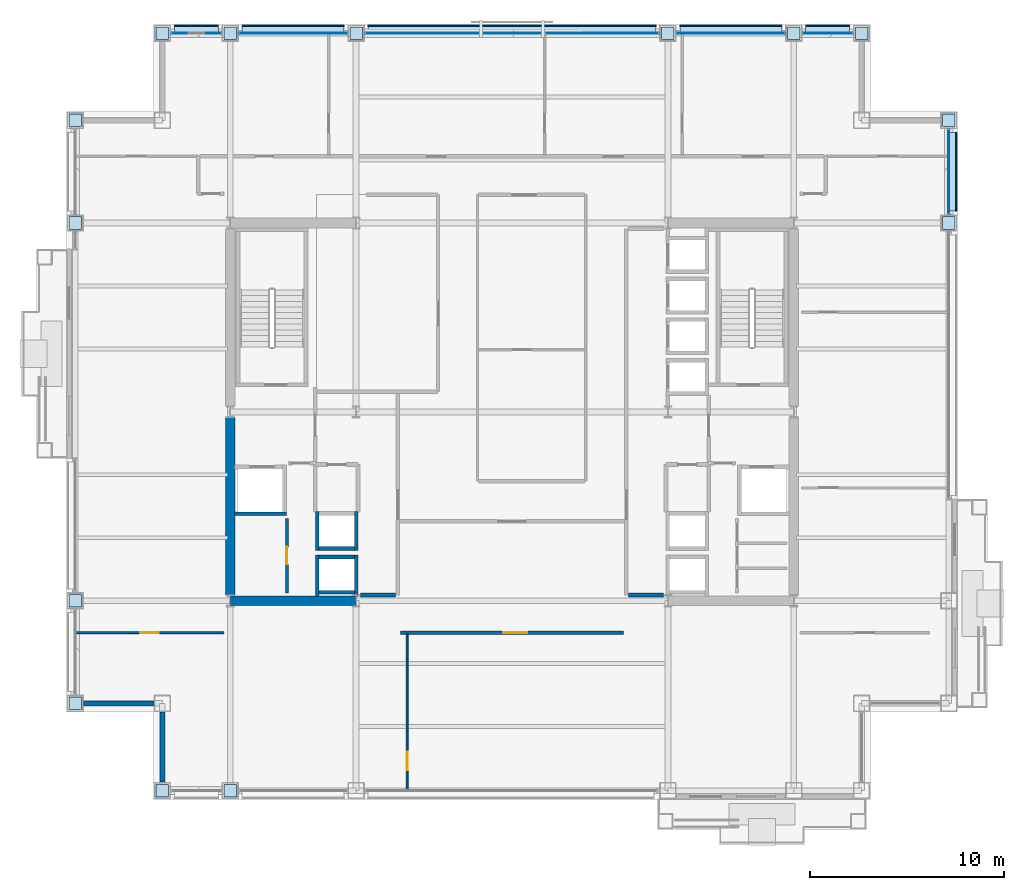
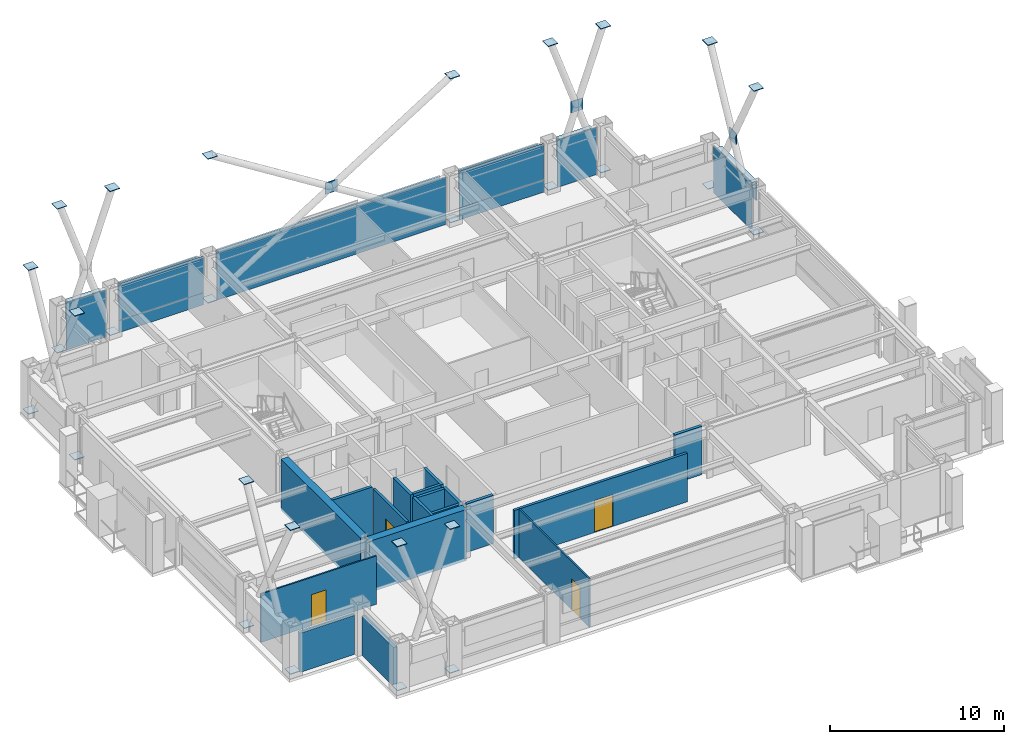
# One storey, part 25 of 32: 51 plates, 18 walls, 4 doors, 4 openings, 6 elements without a shape of their own.
"""IFC4 building model written with IfcOpenShell, lengths in metres."""

from ifc_helpers import new_model, si_unit, direction, frame, frame_2d, origin, origin_2d, place, context, subcontext, project, spatial, rectangle, extrude, material, layer, layer_set, type_object, element, fill, aggregate, save


model = new_model("IFC4")

# Units and contexts
model_context = context("Model", 3, precision=1e-05, world=origin(), true_north=direction((0.0, 1.0)))
body_context = subcontext(model_context, "Body", "Model", "MODEL_VIEW")
ifc_project = project(units=[si_unit("LENGTHUNIT", "METRE"), si_unit("AREAUNIT", "SQUARE_METRE"), si_unit("VOLUMEUNIT", "CUBIC_METRE"), si_unit("PLANEANGLEUNIT", "RADIAN"), si_unit("MASSUNIT", "GRAM", prefix="KILO")], contexts=[model_context])

# Site, building, storey
site_placement = place(None, origin())
site = spatial("IfcSite", under=ifc_project, at=site_placement, CompositionType="ELEMENT")
building_placement = place(site_placement, origin())
building = spatial("IfcBuilding", under=site, at=building_placement, Name="Brelmoor Portico Tower", CompositionType="ELEMENT")
storey_placement = place(building_placement, frame((0.0, 0.0, 109.800048828125)))
storey = spatial("IfcBuildingStorey", under=building, at=storey_placement, Name="L28", CompositionType="ELEMENT", Elevation=109.800048828125)

# Plates
ifc_material_1 = material(Name="Steel Q355B", Category="steel")
ifc_layer_1 = layer(ifc_material_1, 0.044921875)
ifc_layer_set_1 = layer_set([ifc_layer_1], Name="Steel Q355B")
plate_type_1 = type_object("IfcPlateType", Name="PT-CAP-650", PredefinedType="SHEET", material=ifc_layer_set_1)
for number, where, z_axis, x_axis, name in (
    (1, (-18.050048828125, -19.550048828125, 0.2275390625), (0.0, 0.0, 1.0), (1.0, 0.0, 0.0), "L28 Continuous Mega-X Brace 057A Joint Cap Plate 1"),
    (2, (-14.550048828125, -19.550048828125, 10.327392578125), (0.0, 0.0, 1.0), (1.0, 0.0, 0.0), "L28 Continuous Mega-X Brace 057A Joint Cap Plate 2"),
    (3, (-14.550048828125, -19.550048828125, 0.2275390625), (0.0, 0.0, 1.0), (1.0, 0.0, 0.0), "L28 Split Mega-X Brace 057B1 Joint Cap Plate 1"),
    (4, (-18.050048828125, -19.550048828125, 10.327392578125), (0.0, 0.0, 1.0), (1.0, 0.0, 0.0), "L28 Split Mega-X Brace 057B2 Joint Cap Plate 2"),
    (5, (-18.050048828125, 19.550048828125, 0.2275390625), (0.0, 0.0, 1.0), (1.0, 0.0, 0.0), "L28 Continuous Mega-X Brace 058A Joint Cap Plate 1"),
    (6, (-14.550048828125, 19.550048828125, 10.327392578125), (0.0, 0.0, 1.0), (1.0, 0.0, 0.0), "L28 Continuous Mega-X Brace 058A Joint Cap Plate 2"),
    (7, (-14.550048828125, 19.550048828125, 0.2275390625), (0.0, 0.0, 1.0), (1.0, 0.0, 0.0), "L28 Split Mega-X Brace 058B1 Joint Cap Plate 1"),
    (8, (-18.050048828125, 19.550048828125, 10.327392578125), (0.0, 0.0, 1.0), (1.0, 0.0, 0.0), "L28 Split Mega-X Brace 058B2 Joint Cap Plate 2"),
    (9, (-8.050048828125, 19.550048828125, 0.2275390625), (0.0, 0.0, 1.0), (1.0, 0.0, 0.0), "L28 Continuous Mega-X Brace 059A Joint Cap Plate 1"),
    (10, (8.050048828125, 19.550048828125, 10.327392578125), (0.0, 0.0, 1.0), (1.0, 0.0, 0.0), "L28 Continuous Mega-X Brace 059A Joint Cap Plate 2"),
    (11, (8.050048828125, 19.550048828125, 0.2275390625), (0.0, 0.0, 1.0), (1.0, 0.0, 0.0), "L28 Split Mega-X Brace 059B1 Joint Cap Plate 1"),
    (12, (-8.050048828125, 19.550048828125, 10.327392578125), (0.0, 0.0, 1.0), (1.0, 0.0, 0.0), "L28 Split Mega-X Brace 059B2 Joint Cap Plate 2"),
    (13, (14.550048828125, 19.550048828125, 0.2275390625), (0.0, 0.0, 1.0), (1.0, 0.0, 0.0), "L28 Continuous Mega-X Brace 060A Joint Cap Plate 1"),
    (14, (18.050048828125, 19.550048828125, 10.327392578125), (0.0, 0.0, 1.0), (1.0, 0.0, 0.0), "L28 Continuous Mega-X Brace 060A Joint Cap Plate 2"),
    (15, (18.050048828125, 19.550048828125, 0.2275390625), (0.0, 0.0, 1.0), (1.0, 0.0, 0.0), "L28 Split Mega-X Brace 060B1 Joint Cap Plate 1"),
    (16, (14.550048828125, 19.550048828125, 10.327392578125), (0.0, 0.0, 1.0), (1.0, 0.0, 0.0), "L28 Split Mega-X Brace 060B2 Joint Cap Plate 2"),
    (17, (-22.550048828125, -15.050048828125, 0.2275390625), (0.0, 0.0, 1.0), (1.0, 0.0, 0.0), "L28 Continuous Mega-X Brace 061A Joint Cap Plate 1"),
    (18, (-22.550048828125, -9.75, 10.327392578125), (0.0, 0.0, 1.0), (1.0, 0.0, 0.0), "L28 Continuous Mega-X Brace 061A Joint Cap Plate 2"),
    (19, (-22.550048828125, -9.75, 0.2275390625), (0.0, 0.0, 1.0), (1.0, 0.0, 0.0), "L28 Split Mega-X Brace 061B1 Joint Cap Plate 1"),
    (20, (-22.550048828125, -15.050048828125, 10.327392578125), (0.0, 0.0, 1.0), (1.0, 0.0, 0.0), "L28 Split Mega-X Brace 061B2 Joint Cap Plate 2"),
    (21, (-22.550048828125, 9.75, 0.2275390625), (0.0, 0.0, 1.0), (1.0, 0.0, 0.0), "L28 Continuous Mega-X Brace 062A Joint Cap Plate 1"),
    (22, (-22.550048828125, 15.050048828125, 10.327392578125), (0.0, 0.0, 1.0), (1.0, 0.0, 0.0), "L28 Continuous Mega-X Brace 062A Joint Cap Plate 2"),
    (23, (-22.550048828125, 15.050048828125, 0.2275390625), (0.0, 0.0, 1.0), (1.0, 0.0, 0.0), "L28 Split Mega-X Brace 062B1 Joint Cap Plate 1"),
    (24, (-22.550048828125, 9.75, 10.327392578125), (0.0, 0.0, 1.0), (1.0, 0.0, 0.0), "L28 Split Mega-X Brace 062B2 Joint Cap Plate 2"),
    (25, (22.550048828125, 9.75, 0.2275390625), (0.0, 0.0, 1.0), (1.0, 0.0, 0.0), "L28 Continuous Mega-X Brace 063A Joint Cap Plate 1"),
    (26, (22.550048828125, 15.050048828125, 10.327392578125), (0.0, 0.0, 1.0), (1.0, 0.0, 0.0), "L28 Continuous Mega-X Brace 063A Joint Cap Plate 2"),
    (27, (22.550048828125, 15.050048828125, 0.2275390625), (0.0, 0.0, 1.0), (1.0, 0.0, 0.0), "L28 Split Mega-X Brace 063B1 Joint Cap Plate 1"),
    (28, (22.550048828125, 9.75, 10.327392578125), (0.0, 0.0, 1.0), (1.0, 0.0, 0.0), "L28 Split Mega-X Brace 063B2 Joint Cap Plate 2"),
):
    element("IfcPlate", number, at=place(storey_placement, frame(where, z_axis=z_axis, x_axis=x_axis)), inside=storey, type_object=plate_type_1, Name=name, PredefinedType="SHEET", context=body_context, shape_type="SweptSolid", body=[
        extrude(rectangle(XDim=0.64990234375, YDim=0.64990234375, at=origin_2d()), origin(), (0.0, 0.0, 1.0), 0.044921875),
    ])

# Curtain wall, plate
ifc_material_2 = material(Name="Anodised Aluminium Alloy 6063-T6", Category="aluminium")
ifc_layer_2 = layer(ifc_material_2, 0.179931640625)
ifc_layer_set_2 = layer_set([ifc_layer_2], Name="Anodised Aluminium Alloy 6063-T6")
curtain_wall_type_1 = type_object("IfcCurtainWallType", Name="CW-TOWER-Z2", PredefinedType="NOTDEFINED", material=ifc_layer_set_2)
curtain_wall_1_placement = place(storey_placement, origin())
curtain_wall_1 = element("IfcCurtainWall", 29, at=curtain_wall_1_placement, inside=storey, type_object=curtain_wall_type_1, Name="L28 Curtain Wall CW-L28-02-2", PredefinedType="NOTDEFINED")
ifc_material_3 = material(Name="Double-Silver Low-E Insulated Glazing", Category="glass")
ifc_layer_3 = layer(ifc_material_3, 0.035888671875)
ifc_layer_set_3 = layer_set([ifc_layer_3], Name="Double-Silver Low-E Insulated Glazing")
plate_type_2 = type_object("IfcPlateType", Name="PT-CW-GLASS", PredefinedType="CURTAIN_PANEL", material=ifc_layer_set_3)
plate_1_placement = place(storey_placement, frame((-11.300048828125, 19.550048828125, 0.85009765625), z_axis=(0.0, 0.0, 1.0), x_axis=(1.0, 0.0, 0.0)))
plate_1 = element("IfcPlate", 30, at=plate_1_placement, type_object=plate_type_2, Name="CW-L28-02-2 Vision Glass Panel 00", PredefinedType="CURTAIN_PANEL", context=body_context, shape_type="SweptSolid", body=[
    extrude(rectangle(XDim=5.60009765625, YDim=0.035888671875, at=origin_2d()), origin(), (0.0, 0.0, 1.0), 2.550048828125),
])

curtain_wall_2_placement = place(storey_placement, origin())
curtain_wall_2 = element("IfcCurtainWall", 31, at=curtain_wall_2_placement, inside=storey, type_object=curtain_wall_type_1, Name="L28 Curtain Wall CW-L28-02-4", PredefinedType="NOTDEFINED")
plate_2_placement = place(storey_placement, frame((11.300048828125, 19.550048828125, 0.85009765625), z_axis=(0.0, 0.0, 1.0), x_axis=(1.0, 0.0, 0.0)))
plate_2 = element("IfcPlate", 32, at=plate_2_placement, type_object=plate_type_2, Name="CW-L28-02-4 Vision Glass Panel 00", PredefinedType="CURTAIN_PANEL", context=body_context, shape_type="SweptSolid", body=[
    extrude(rectangle(XDim=5.60009765625, YDim=0.035888671875, at=origin_2d()), origin(), (0.0, 0.0, 1.0), 2.550048828125),
])

ifc_layer_4 = layer(ifc_material_2, 0.179931640625)
ifc_layer_set_4 = layer_set([ifc_layer_4], Name="Anodised Aluminium Alloy 6063-T6")
curtain_wall_type_2 = type_object("IfcCurtainWallType", Name="CW-TOWER-Z2-XB", PredefinedType="NOTDEFINED", material=ifc_layer_set_4)
curtain_wall_3_placement = place(storey_placement, origin())
curtain_wall_3 = element("IfcCurtainWall", 33, at=curtain_wall_3_placement, inside=storey, type_object=curtain_wall_type_2, Name="L28 Curtain Wall CW-L28-02-1", PredefinedType="NOTDEFINED")
ifc_material_4 = material(Name="Pale Champagne Anodised Aluminium Panel", Category="aluminium")
ifc_layer_5 = layer(ifc_material_4, 0.050048828125)
ifc_layer_set_5 = layer_set([ifc_layer_5], Name="Pale Champagne Anodised Aluminium Panel")
plate_type_3 = type_object("IfcPlateType", Name="PT-CW-SPANDREL", PredefinedType="SHEET", material=ifc_layer_set_5)
plate_3_placement = place(storey_placement, frame((-16.300048828125, 19.550048828125, 0.0), z_axis=(0.0, 0.0, 1.0), x_axis=(1.0, 0.0, 0.0)))
plate_3 = element("IfcPlate", 34, at=plate_3_placement, type_object=plate_type_3, Name="CW-L28-02-1 Spandrel Panel 00", PredefinedType="SHEET", context=body_context, shape_type="SweptSolid", body=[
    extrude(rectangle(XDim=2.60009765625, YDim=0.050048828125, at=origin_2d()), origin(), (0.0, 0.0, 1.0), 3.330078125),
])
aggregate(curtain_wall_3, [plate_3])

# Plate
plate_4_placement = place(storey_placement, frame((-11.300048828125, 19.550048828125, 0.0), z_axis=(0.0, 0.0, 1.0), x_axis=(1.0, 0.0, 0.0)))
plate_4 = element("IfcPlate", 35, at=plate_4_placement, type_object=plate_type_3, Name="CW-L28-02-2 Spandrel Panel 00", PredefinedType="SHEET", context=body_context, shape_type="SweptSolid", body=[
    extrude(rectangle(XDim=5.60009765625, YDim=0.050048828125, at=origin_2d()), origin(), (0.0, 0.0, 1.0), 0.85009765625),
])

aggregate(curtain_wall_1, [plate_4, plate_1])

# Curtain wall, plate
curtain_wall_4_placement = place(storey_placement, origin())
curtain_wall_4 = element("IfcCurtainWall", 36, at=curtain_wall_4_placement, inside=storey, type_object=curtain_wall_type_2, Name="L28 Curtain Wall CW-L28-02-3", PredefinedType="NOTDEFINED")
plate_5_placement = place(storey_placement, frame((0.0, 19.550048828125, 0.0), z_axis=(0.0, 0.0, 1.0), x_axis=(1.0, 0.0, 0.0)))
plate_5 = element("IfcPlate", 37, at=plate_5_placement, type_object=plate_type_3, Name="CW-L28-02-3 Spandrel Panel 00", PredefinedType="SHEET", context=body_context, shape_type="SweptSolid", body=[
    extrude(rectangle(XDim=15.199951171875, YDim=0.050048828125, at=origin_2d()), origin(), (0.0, 0.0, 1.0), 3.330078125),
])
aggregate(curtain_wall_4, [plate_5])

# Plate
plate_6_placement = place(storey_placement, frame((11.300048828125, 19.550048828125, 0.0), z_axis=(0.0, 0.0, 1.0), x_axis=(1.0, 0.0, 0.0)))
plate_6 = element("IfcPlate", 38, at=plate_6_placement, type_object=plate_type_3, Name="CW-L28-02-4 Spandrel Panel 00", PredefinedType="SHEET", context=body_context, shape_type="SweptSolid", body=[
    extrude(rectangle(XDim=5.60009765625, YDim=0.050048828125, at=origin_2d()), origin(), (0.0, 0.0, 1.0), 0.85009765625),
])

aggregate(curtain_wall_2, [plate_6, plate_2])

# Curtain wall, plate
curtain_wall_5_placement = place(storey_placement, origin())
curtain_wall_5 = element("IfcCurtainWall", 39, at=curtain_wall_5_placement, inside=storey, type_object=curtain_wall_type_2, Name="L28 Curtain Wall CW-L28-02-5", PredefinedType="NOTDEFINED")
plate_7_placement = place(storey_placement, frame((16.300048828125, 19.550048828125, 0.0), z_axis=(0.0, 0.0, 1.0), x_axis=(1.0, 0.0, 0.0)))
plate_7 = element("IfcPlate", 40, at=plate_7_placement, type_object=plate_type_3, Name="CW-L28-02-5 Spandrel Panel 00", PredefinedType="SHEET", context=body_context, shape_type="SweptSolid", body=[
    extrude(rectangle(XDim=2.60009765625, YDim=0.050048828125, at=origin_2d()), origin(), (0.0, 0.0, 1.0), 3.330078125),
])
aggregate(curtain_wall_5, [plate_7])

curtain_wall_6_placement = place(storey_placement, origin())
curtain_wall_6 = element("IfcCurtainWall", 41, at=curtain_wall_6_placement, inside=storey, type_object=curtain_wall_type_2, Name="L28 Curtain Wall CW-L28-4R-2", PredefinedType="NOTDEFINED")
plate_8_placement = place(storey_placement, frame((22.550048828125, 12.39990234375, 0.0), z_axis=(0.0, 0.0, 1.0), x_axis=(0.0, 1.0, 0.0)))
plate_8 = element("IfcPlate", 42, at=plate_8_placement, type_object=plate_type_3, Name="CW-L28-4R-2 Spandrel Panel 00", PredefinedType="SHEET", context=body_context, shape_type="SweptSolid", body=[
    extrude(rectangle(XDim=4.39990234375, YDim=0.050048828125, at=origin_2d()), origin(), (0.0, 0.0, 1.0), 3.330078125),
])
aggregate(curtain_wall_6, [plate_8])

# Plates
ifc_layer_6 = layer(ifc_material_1, 0.050048828125)
ifc_layer_set_6 = layer_set([ifc_layer_6], Name="Steel Q355B")
plate_type_4 = type_object("IfcPlateType", Name="PT-GUSSET-800", PredefinedType="USERDEFINED", material=ifc_layer_set_6)
for number, where, z_axis, x_axis, name in (
    (43, (0.0, 19.550048828125, 4.89990234375), (0.0, 0.0, 1.0), (1.0, 0.0, 0.0), "L28 Perimeter Mega-Brace Gusset 059"),
    (44, (16.300048828125, 19.550048828125, 4.89990234375), (0.0, 0.0, 1.0), (1.0, 0.0, 0.0), "L28 Perimeter Mega-Brace Gusset 060"),
):
    element("IfcPlate", number, at=place(storey_placement, frame(where, z_axis=z_axis, x_axis=x_axis)), inside=storey, type_object=plate_type_4, Name=name, ObjectType="GUSSET PLATE", PredefinedType="USERDEFINED", context=body_context, shape_type="SweptSolid", body=[
        extrude(rectangle(XDim=0.800048828125, YDim=0.050048828125, at=origin_2d()), origin(), (0.0, 0.0, 1.0), 0.800048828125),
    ])
plate_9_placement = place(storey_placement, frame((22.550048828125, 12.39990234375, 4.89990234375), z_axis=(0.0, 0.0, 1.0), x_axis=(1.0, 0.0, 0.0)))
element("IfcPlate", 45, at=plate_9_placement, inside=storey, type_object=plate_type_4, Name="L28 Perimeter Mega-Brace Gusset 063", ObjectType="GUSSET PLATE", PredefinedType="USERDEFINED", context=body_context, shape_type="SweptSolid", body=[
    extrude(rectangle(XDim=0.050048828125, YDim=0.800048828125, at=origin_2d()), origin(), (0.0, 0.0, 1.0), 0.800048828125),
])
ifc_material_5 = material(Name="Powder-Coated Aluminium Shuttered Jalousie Louvre", Category="aluminium")
ifc_layer_7 = layer(ifc_material_5, 0.06005859375)
ifc_layer_set_7 = layer_set([ifc_layer_7], Name="Powder-Coated Aluminium Shuttered Jalousie Louvre")
plate_type_5 = type_object("IfcPlateType", Name="PT-JALOUSIE-SHUTTER", PredefinedType="SHEET", material=ifc_layer_set_7)
plate_10_placement = place(storey_placement, frame((-16.300048828125, 19.929931640625, 1.8740234375), z_axis=(0.0, 0.0, 1.0), x_axis=(1.0, 0.0, 0.0)))
element("IfcPlate", 46, at=plate_10_placement, inside=storey, type_object=plate_type_5, Name="CW-L28-02-1 Perforated Jalousie Solar Screen", PredefinedType="SHEET", context=body_context, shape_type="SweptSolid", body=[
    extrude(rectangle(XDim=2.27001953125, YDim=0.06494140625, at=origin_2d()), origin(), (0.0, 0.0, 1.0), 1.325927734375),
])
plate_11_placement = place(storey_placement, frame((-11.300048828125, 19.929931640625, 1.8740234375), z_axis=(0.0, 0.0, 1.0), x_axis=(1.0, 0.0, 0.0)))
element("IfcPlate", 47, at=plate_11_placement, inside=storey, type_object=plate_type_5, Name="CW-L28-02-2 Perforated Jalousie Solar Screen", PredefinedType="SHEET", context=body_context, shape_type="SweptSolid", body=[
    extrude(rectangle(XDim=5.27001953125, YDim=0.06494140625, at=origin_2d()), origin(), (0.0, 0.0, 1.0), 1.325927734375),
])
plate_12_placement = place(storey_placement, frame((0.0, 19.929931640625, 1.8740234375), z_axis=(0.0, 0.0, 1.0), x_axis=(1.0, 0.0, 0.0)))
element("IfcPlate", 48, at=plate_12_placement, inside=storey, type_object=plate_type_5, Name="CW-L28-02-3 Perforated Jalousie Solar Screen", PredefinedType="SHEET", context=body_context, shape_type="SweptSolid", body=[
    extrude(rectangle(XDim=14.8701171875, YDim=0.06494140625, at=origin_2d()), origin(), (0.0, 0.0, 1.0), 1.325927734375),
])
plate_13_placement = place(storey_placement, frame((11.300048828125, 19.929931640625, 1.8740234375), z_axis=(0.0, 0.0, 1.0), x_axis=(1.0, 0.0, 0.0)))
element("IfcPlate", 49, at=plate_13_placement, inside=storey, type_object=plate_type_5, Name="CW-L28-02-4 Perforated Jalousie Solar Screen", PredefinedType="SHEET", context=body_context, shape_type="SweptSolid", body=[
    extrude(rectangle(XDim=5.27001953125, YDim=0.06494140625, at=origin_2d()), origin(), (0.0, 0.0, 1.0), 1.325927734375),
])
plate_14_placement = place(storey_placement, frame((16.300048828125, 19.929931640625, 1.8740234375), z_axis=(0.0, 0.0, 1.0), x_axis=(1.0, 0.0, 0.0)))
element("IfcPlate", 50, at=plate_14_placement, inside=storey, type_object=plate_type_5, Name="CW-L28-02-5 Perforated Jalousie Solar Screen", PredefinedType="SHEET", context=body_context, shape_type="SweptSolid", body=[
    extrude(rectangle(XDim=2.27001953125, YDim=0.06494140625, at=origin_2d()), origin(), (0.0, 0.0, 1.0), 1.325927734375),
])
plate_15_placement = place(storey_placement, frame((22.929931640625, 12.39990234375, 1.8740234375), z_axis=(0.0, 0.0, 1.0), x_axis=(0.0, 1.0, 0.0)))
element("IfcPlate", 51, at=plate_15_placement, inside=storey, type_object=plate_type_5, Name="CW-L28-4R-2 Perforated Jalousie Solar Screen", PredefinedType="SHEET", context=body_context, shape_type="SweptSolid", body=[
    extrude(rectangle(XDim=4.070068359375, YDim=0.06494140625, at=origin_2d()), origin(), (0.0, 0.0, 1.0), 1.325927734375),
])
ifc_material_6 = material(Name="Pale Champagne Perforated Aluminium Solar Screen", Category="aluminium")
ifc_layer_8 = layer(ifc_material_6, 0.054931640625)
ifc_layer_set_8 = layer_set([ifc_layer_8], Name="Pale Champagne Perforated Aluminium Solar Screen")
plate_type_6 = type_object("IfcPlateType", Name="PT-SOLAR-LOUVRE", PredefinedType="SHEET", material=ifc_layer_set_8)
plate_16_placement = place(storey_placement, frame((-16.300048828125, 19.760009765625, 3.08984375), z_axis=(0.0, 0.0, 1.0), x_axis=(1.0, 0.0, 0.0)))
element("IfcPlate", 52, at=plate_16_placement, inside=storey, type_object=plate_type_6, Name="CW-L28-02-1 Caribbean Brise-Soleil Solar Screen", PredefinedType="SHEET", context=body_context, shape_type="SweptSolid", body=[
    extrude(rectangle(XDim=2.27001953125, YDim=0.4599609375, at=origin_2d()), origin(), (0.0, 0.0, 1.0), 0.139892578125),
])
plate_17_placement = place(storey_placement, frame((-11.300048828125, 19.760009765625, 3.08984375), z_axis=(0.0, 0.0, 1.0), x_axis=(1.0, 0.0, 0.0)))
element("IfcPlate", 53, at=plate_17_placement, inside=storey, type_object=plate_type_6, Name="CW-L28-02-2 Caribbean Brise-Soleil Solar Screen", PredefinedType="SHEET", context=body_context, shape_type="SweptSolid", body=[
    extrude(rectangle(XDim=5.27001953125, YDim=0.4599609375, at=origin_2d()), origin(), (0.0, 0.0, 1.0), 0.139892578125),
])
plate_18_placement = place(storey_placement, frame((0.0, 19.760009765625, 3.08984375), z_axis=(0.0, 0.0, 1.0), x_axis=(1.0, 0.0, 0.0)))
element("IfcPlate", 54, at=plate_18_placement, inside=storey, type_object=plate_type_6, Name="CW-L28-02-3 Caribbean Brise-Soleil Solar Screen", PredefinedType="SHEET", context=body_context, shape_type="SweptSolid", body=[
    extrude(rectangle(XDim=14.8701171875, YDim=0.4599609375, at=origin_2d()), origin(), (0.0, 0.0, 1.0), 0.139892578125),
])
plate_19_placement = place(storey_placement, frame((11.300048828125, 19.760009765625, 3.08984375), z_axis=(0.0, 0.0, 1.0), x_axis=(1.0, 0.0, 0.0)))
element("IfcPlate", 55, at=plate_19_placement, inside=storey, type_object=plate_type_6, Name="CW-L28-02-4 Caribbean Brise-Soleil Solar Screen", PredefinedType="SHEET", context=body_context, shape_type="SweptSolid", body=[
    extrude(rectangle(XDim=5.27001953125, YDim=0.4599609375, at=origin_2d()), origin(), (0.0, 0.0, 1.0), 0.139892578125),
])
plate_20_placement = place(storey_placement, frame((16.300048828125, 19.760009765625, 3.08984375), z_axis=(0.0, 0.0, 1.0), x_axis=(1.0, 0.0, 0.0)))
element("IfcPlate", 56, at=plate_20_placement, inside=storey, type_object=plate_type_6, Name="CW-L28-02-5 Caribbean Brise-Soleil Solar Screen", PredefinedType="SHEET", context=body_context, shape_type="SweptSolid", body=[
    extrude(rectangle(XDim=2.27001953125, YDim=0.4599609375, at=origin_2d()), origin(), (0.0, 0.0, 1.0), 0.139892578125),
])
plate_21_placement = place(storey_placement, frame((22.760009765625, 12.39990234375, 3.08984375), z_axis=(0.0, 0.0, 1.0), x_axis=(0.0, 1.0, 0.0)))
element("IfcPlate", 57, at=plate_21_placement, inside=storey, type_object=plate_type_6, Name="CW-L28-4R-2 Caribbean Brise-Soleil Solar Screen", PredefinedType="SHEET", context=body_context, shape_type="SweptSolid", body=[
    extrude(rectangle(XDim=4.070068359375, YDim=0.4599609375, at=origin_2d()), origin(), (0.0, 0.0, 1.0), 0.139892578125),
])

# Walls
ifc_material_7 = material(Name="Concrete C60", Category="concrete")
ifc_layer_9 = layer(ifc_material_7, 0.5)
ifc_layer_set_9 = layer_set([ifc_layer_9], Name="Concrete C60")
wall_type_1 = type_object("IfcWallType", Name="WL-CORE-500", PredefinedType="SHEAR", material=ifc_layer_set_9)
wall_1_placement = place(storey_placement, frame((-14.530029296875, -9.75, -0.199951171875), z_axis=(0.0, 0.0, 1.0), x_axis=(1.0, 0.0, 0.0)))
element("IfcWall", 58, at=wall_1_placement, inside=storey, type_object=wall_type_1, Name="L28 WC South Shear Wall", PredefinedType="SHEAR", context=body_context, shape_type="SweptSolid", body=[
    extrude(rectangle(XDim=6.4599609375, YDim=0.5, at=frame_2d((3.22998046875, 0.0))), origin(), (0.0, 0.0, 1.0), 3.599853515625),
])
wall_2_placement = place(storey_placement, frame((-14.550048828125, -9.449951171875, -0.199951171875), z_axis=(0.0, 0.0, 1.0), x_axis=(0.0, 1.0, 0.0)))
element("IfcWall", 59, at=wall_2_placement, inside=storey, type_object=wall_type_1, Name="L28 WC Outer South Shear Wall", PredefinedType="SHEAR", context=body_context, shape_type="SweptSolid", body=[
    extrude(rectangle(XDim=9.14990234375, YDim=0.5, at=frame_2d((4.574951171875, 0.0))), origin(), (0.0, 0.0, 1.0), 3.599853515625),
])
ifc_material_8 = material(Name="Precast Concrete C40 Insulated Facade Wall", Category="concrete")
ifc_layer_10 = layer(ifc_material_8, 0.25)
ifc_layer_set_10 = layer_set([ifc_layer_10], Name="Precast Concrete C40 Insulated Facade Wall")
wall_type_2 = type_object("IfcWallType", Name="WL-EXT-250", PredefinedType="STANDARD", material=ifc_layer_set_10)
for number, where, z_axis, x_axis, name in (
    (60, (-22.114990234375, -15.050048828125, 0.0), (0.0, 0.0, 1.0), (1.0, 0.0, 0.0), "L28 Corner Notch Facade Wall NSWH1"),
    (61, (-18.050048828125, -19.114990234375, 0.0), (0.0, 0.0, 1.0), (0.0, 1.0, 0.0), "L28 Corner Notch Facade Wall NSWV1"),
):
    element("IfcWall", number, at=place(storey_placement, frame(where, z_axis=z_axis, x_axis=x_axis)), inside=storey, type_object=wall_type_2, Name=name, PredefinedType="STANDARD", context=body_context, shape_type="SweptSolid", body=[
        extrude(rectangle(XDim=3.6298828125, YDim=0.25, at=frame_2d((1.81494140625, 0.0))), origin(), (0.0, 0.0, 1.0), 2.75),
    ])

# Wall, opening, door
ifc_material_9 = material(Name="Demountable Glazed Office Partition", Category="aluminium")
ifc_layer_11 = layer(ifc_material_9, 0.10009765625)
ifc_layer_set_11 = layer_set([ifc_layer_11], Name="Demountable Glazed Office Partition")
wall_type_3 = type_object("IfcWallType", Name="WL-PART-100", PredefinedType="PARTITIONING", material=ifc_layer_set_11)
wall_3_placement = place(storey_placement, frame((-5.4111328125, -19.56005859375, 0.0), z_axis=(0.0, 0.0, 1.0), x_axis=(0.0, 1.0, 0.0)))
wall_3 = element("IfcWall", 62, at=wall_3_placement, inside=storey, type_object=wall_type_3, Name="L28 South Suite Partition 1", PredefinedType="PARTITIONING", context=body_context, shape_type="SweptSolid", body=[
    extrude(rectangle(XDim=8.10009765625, YDim=0.10009765625, at=frame_2d((4.050048828125, 0.0))), origin(), (0.0, 0.0, 1.0), 3.39990234375),
])
opening_1_placement = place(wall_3_placement, frame((1.050048828125, 0.0, 0.0)))
opening_1 = element("IfcOpeningElement", 63, at=opening_1_placement, cuts=wall_3, Name="Opening D-IN2", PredefinedType="OPENING", context=body_context, shape_type="SweptSolid", body=[
    extrude(rectangle(XDim=0.9599609375, YDim=2.179931640625, at=frame_2d((0.47998046875, 1.08984375))), frame((0.0, 0.06005859375, 0.0), z_axis=(0.0, -1.0, 0.0), x_axis=(1.0, 0.0, 0.0)), (0.0, 0.0, 1.0), 0.1201171875),
])
ifc_material_10 = material(Name="Lacquered Timber Suite Door", Category="wood")
door_type_1 = type_object("IfcDoorType", Name="DR-INT-950", OperationType="NOTDEFINED", PredefinedType="DOOR", material=ifc_material_10)
door_1_placement = place(opening_1_placement, origin())
door_1 = element("IfcDoor", 64, at=door_1_placement, inside=storey, type_object=door_type_1, Name="D-1246 L28 South Suite Connecting Door 1", OperationType="SINGLE_SWING_RIGHT", OverallHeight=2.179931640625, OverallWidth=0.9599609375, PredefinedType="DOOR", context=body_context, shape_type="SweptSolid", body=[
    extrude(rectangle(XDim=0.9599609375, YDim=2.179931640625, at=frame_2d((0.47998046875, 1.08984375))), frame((0.0, 0.02490234375, 0.0), z_axis=(0.0, -1.0, 0.0), x_axis=(1.0, 0.0, 0.0)), (0.0, 0.0, 1.0), 0.050048828125),
])
fill(opening_1, door_1)

wall_4_placement = place(storey_placement, frame((-22.56005859375, -11.39990234375, 0.0), z_axis=(0.0, 0.0, 1.0), x_axis=(1.0, 0.0, 0.0)))
wall_4 = element("IfcWall", 65, at=wall_4_placement, inside=storey, type_object=wall_type_3, Name="L28 South Wing Closure WL", PredefinedType="PARTITIONING", context=body_context, shape_type="SweptSolid", body=[
    extrude(rectangle(XDim=7.68017578125, YDim=0.10009765625, at=frame_2d((3.840087890625, 0.0))), origin(), (0.0, 0.0, 1.0), 3.39990234375),
])
opening_2_placement = place(wall_4_placement, frame((3.360107421875, 0.0, 0.0)))
opening_2 = element("IfcOpeningElement", 66, at=opening_2_placement, cuts=wall_4, Name="Opening D-IN2", PredefinedType="OPENING", context=body_context, shape_type="SweptSolid", body=[
    extrude(rectangle(XDim=0.9599609375, YDim=2.179931640625, at=frame_2d((0.47998046875, 1.08984375))), frame((0.0, 0.06005859375, 0.0), z_axis=(0.0, -1.0, 0.0), x_axis=(1.0, 0.0, 0.0)), (0.0, 0.0, 1.0), 0.1201171875),
])
door_2_placement = place(opening_2_placement, origin())
door_2 = element("IfcDoor", 67, at=door_2_placement, inside=storey, type_object=door_type_1, Name="D-1250 L28 WL Wing South Suite Door", OperationType="SINGLE_SWING_RIGHT", OverallHeight=2.179931640625, OverallWidth=0.9599609375, PredefinedType="DOOR", context=body_context, shape_type="SweptSolid", body=[
    extrude(rectangle(XDim=0.9599609375, YDim=2.179931640625, at=frame_2d((0.47998046875, 1.08984375))), frame((0.0, 0.02490234375, 0.0), z_axis=(0.0, -1.0, 0.0), x_axis=(1.0, 0.0, 0.0)), (0.0, 0.0, 1.0), 0.050048828125),
])
fill(opening_2, door_2)

ifc_material_11 = material(Name="Twin-Frame Acoustic Partition", Category="gypsum")
ifc_layer_12 = layer(ifc_material_11, 0.159912109375)
ifc_layer_set_12 = layer_set([ifc_layer_12], Name="Twin-Frame Acoustic Partition")
wall_type_4 = type_object("IfcWallType", Name="WL-PART-160", PredefinedType="PARTITIONING", material=ifc_layer_set_12)
wall_5_placement = place(storey_placement, frame((-11.6201171875, -9.35009765625, 0.0), z_axis=(0.0, 0.0, 1.0), x_axis=(0.0, 1.0, 0.0)))
wall_5 = element("IfcWall", 68, at=wall_5_placement, inside=storey, type_object=wall_type_4, Name="L28 W Core Service Front Wall", PredefinedType="PARTITIONING", context=body_context, shape_type="SweptSolid", body=[
    extrude(rectangle(XDim=3.85009765625, YDim=0.159912109375, at=frame_2d((1.925048828125, 0.0))), origin(), (0.0, 0.0, 1.0), 3.39990234375),
])
opening_3_placement = place(wall_5_placement, frame((1.47509765625, 0.0, 0.0)))
opening_3 = element("IfcOpeningElement", 69, at=opening_3_placement, cuts=wall_5, Name="Opening D-IN1", PredefinedType="OPENING", context=body_context, shape_type="SweptSolid", body=[
    extrude(rectangle(XDim=0.89990234375, YDim=2.14990234375, at=frame_2d((0.449951171875, 1.074951171875))), frame((0.0, 0.08984375, 0.0), z_axis=(0.0, -1.0, 0.0), x_axis=(1.0, 0.0, 0.0)), (0.0, 0.0, 1.0), 0.179931640625),
])
door_type_2 = type_object("IfcDoorType", Name="DR-INT-900", OperationType="NOTDEFINED", PredefinedType="DOOR", material=ifc_material_10)
door_3_placement = place(opening_3_placement, origin())
door_3 = element("IfcDoor", 70, at=door_3_placement, inside=storey, type_object=door_type_2, Name="D-1228 L28 W Accessible WC Door", OperationType="SINGLE_SWING_LEFT", OverallHeight=2.14990234375, OverallWidth=0.89990234375, PredefinedType="DOOR", context=body_context, shape_type="SweptSolid", body=[
    extrude(rectangle(XDim=0.89990234375, YDim=2.14990234375, at=frame_2d((0.449951171875, 1.074951171875))), frame((0.0, 0.02490234375, 0.0), z_axis=(0.0, -1.0, 0.0), x_axis=(1.0, 0.0, 0.0)), (0.0, 0.0, 1.0), 0.050048828125),
])
fill(opening_3, door_3)

ifc_material_12 = material(Name="Acoustic Corridor Fire Partition", Category="gypsum")
ifc_layer_13 = layer(ifc_material_12, 0.179931640625)
ifc_layer_set_13 = layer_set([ifc_layer_13], Name="Acoustic Corridor Fire Partition")
wall_type_5 = type_object("IfcWallType", Name="WL-PART-180", PredefinedType="PARTITIONING", material=ifc_layer_set_13)
wall_6_placement = place(storey_placement, frame((-5.75, -11.39990234375, 0.0), z_axis=(0.0, 0.0, 1.0), x_axis=(1.0, 0.0, 0.0)))
wall_6 = element("IfcWall", 71, at=wall_6_placement, inside=storey, type_object=wall_type_5, Name="L28 South Corridor Partition", PredefinedType="PARTITIONING", context=body_context, shape_type="SweptSolid", body=[
    extrude(rectangle(XDim=11.5, YDim=0.179931640625, at=frame_2d((5.75, 0.0))), origin(), (0.0, 0.0, 1.0), 3.39990234375),
])
opening_4_placement = place(wall_6_placement, frame((5.29931640625, 0.0, 0.0)))
opening_4 = element("IfcOpeningElement", 72, at=opening_4_placement, cuts=wall_6, Name="Opening D-SU1", PredefinedType="OPENING", context=body_context, shape_type="SweptSolid", body=[
    extrude(rectangle(XDim=1.239990234375, YDim=2.239990234375, at=frame_2d((0.6201171875, 1.1201171875))), frame((0.0, 0.099853515625, 0.0), z_axis=(0.0, -1.0, 0.0), x_axis=(1.0, 0.0, 0.0)), (0.0, 0.0, 1.0), 0.199951171875),
])
ifc_material_13 = material(Name="Glazed Timber Executive Suite Door", Category="wood")
door_type_3 = type_object("IfcDoorType", Name="DR-SUITE-1200", OperationType="NOTDEFINED", PredefinedType="DOOR", material=ifc_material_13)
door_4_placement = place(opening_4_placement, origin())
door_4 = element("IfcDoor", 73, at=door_4_placement, inside=storey, type_object=door_type_3, Name="D-1245 L28 South Project Mail Room 2 Door", OperationType="SINGLE_SWING_LEFT", OverallHeight=2.239990234375, OverallWidth=1.239990234375, PredefinedType="DOOR", context=body_context, shape_type="SweptSolid", body=[
    extrude(rectangle(XDim=1.239990234375, YDim=2.239990234375, at=frame_2d((0.6201171875, 1.1201171875))), frame((0.0, 0.02490234375, 0.0), z_axis=(0.0, -1.0, 0.0), x_axis=(1.0, 0.0, 0.0)), (0.0, 0.0, 1.0), 0.050048828125),
])
fill(opening_4, door_4)

# Walls
ifc_material_14 = material(Name="Double-Stud Gypsum Fire Partition", Category="gypsum")
ifc_layer_14 = layer(ifc_material_14, 0.199951171875)
ifc_layer_set_14 = layer_set([ifc_layer_14], Name="Double-Stud Gypsum Fire Partition")
wall_type_6 = type_object("IfcWallType", Name="WL-PART-200", PredefinedType="PARTITIONING", material=ifc_layer_set_14)
for number, where, z_axis, x_axis, name in (
    (74, (-6.02001953125, -9.449951171875, 0.0), (0.0, 0.0, 1.0), (-1.0, 0.0, 0.0), "L28 W Lift Lobby South End Wall"),
    (75, (6.02001953125, -9.449951171875, 0.0), (0.0, 0.0, 1.0), (1.0, 0.0, 0.0), "L28 E Lift Lobby South End Wall"),
):
    element("IfcWall", number, at=place(storey_placement, frame(where, z_axis=z_axis, x_axis=x_axis)), inside=storey, type_object=wall_type_6, Name=name, PredefinedType="PARTITIONING", context=body_context, shape_type="SweptSolid", body=[
        extrude(rectangle(XDim=1.800048828125, YDim=0.199951171875, at=frame_2d((0.89990234375, 0.0))), origin(), (0.0, 0.0, 1.0), 3.39990234375),
    ])
ifc_material_15 = material(Name="Precast Concrete C40", Category="concrete")
ifc_layer_15 = layer(ifc_material_15, 0.18994140625)
ifc_layer_set_15 = layer_set([ifc_layer_15], Name="Precast Concrete C40")
wall_type_7 = type_object("IfcWallType", Name="WL-SHAFT-180", PredefinedType="SOLIDWALL", material=ifc_layer_set_15)
for number, where, z_axis, x_axis, name in (
    (76, (-8.044921875, -9.52001953125, -0.199951171875), (0.0, 0.0, 1.0), (0.0, 1.0, 0.0), "L28 Lift PH1 Hoistway Front Wall"),
    (77, (-10.054931640625, -9.52001953125, -0.199951171875), (0.0, 0.0, 1.0), (0.0, 1.0, 0.0), "L28 Lift PH1 Hoistway Back Wall"),
):
    element("IfcWall", number, at=place(storey_placement, frame(where, z_axis=z_axis, x_axis=x_axis)), inside=storey, type_object=wall_type_7, Name=name, PredefinedType="SOLIDWALL", context=body_context, shape_type="SweptSolid", body=[
        extrude(rectangle(XDim=2.1201171875, YDim=0.18994140625, at=frame_2d((1.06005859375, 0.0))), origin(), (0.0, 0.0, 1.0), 3.599853515625),
    ])
for number, where, z_axis, x_axis, name in (
    (78, (-10.14990234375, -7.4951171875, -0.199951171875), (0.0, 0.0, 1.0), (1.0, 0.0, 0.0), "L28 Lift PH1 Hoistway North Wall"),
    (79, (-10.14990234375, -9.304931640625, -0.199951171875), (0.0, 0.0, 1.0), (1.0, 0.0, 0.0), "L28 Lift PH1 Hoistway South Wall"),
):
    element("IfcWall", number, at=place(storey_placement, frame(where, z_axis=z_axis, x_axis=x_axis)), inside=storey, type_object=wall_type_7, Name=name, PredefinedType="SOLIDWALL", context=body_context, shape_type="SweptSolid", body=[
        extrude(rectangle(XDim=2.199951171875, YDim=0.18994140625, at=frame_2d((1.10009765625, 0.0))), origin(), (0.0, 0.0, 1.0), 3.599853515625),
    ])
for number, where, z_axis, x_axis, name in (
    (80, (-8.044921875, -7.14990234375, -0.199951171875), (0.0, 0.0, 1.0), (0.0, 1.0, 0.0), "L28 Lift PH2 Hoistway Front Wall"),
    (81, (-10.054931640625, -7.14990234375, -0.199951171875), (0.0, 0.0, 1.0), (0.0, 1.0, 0.0), "L28 Lift PH2 Hoistway Back Wall"),
):
    element("IfcWall", number, at=place(storey_placement, frame(where, z_axis=z_axis, x_axis=x_axis)), inside=storey, type_object=wall_type_7, Name=name, PredefinedType="SOLIDWALL", context=body_context, shape_type="SweptSolid", body=[
        extrude(rectangle(XDim=2.0, YDim=0.18994140625, at=frame_2d((1.0, 0.0))), origin(), (0.0, 0.0, 1.0), 3.599853515625),
    ])
wall_7_placement = place(storey_placement, frame((-10.14990234375, -7.054931640625, -0.199951171875), z_axis=(0.0, 0.0, 1.0), x_axis=(1.0, 0.0, 0.0)))
element("IfcWall", 82, at=wall_7_placement, inside=storey, type_object=wall_type_7, Name="L28 Lift PH2 Hoistway South Wall", PredefinedType="SOLIDWALL", context=body_context, shape_type="SweptSolid", body=[
    extrude(rectangle(XDim=2.199951171875, YDim=0.18994140625, at=frame_2d((1.10009765625, 0.0))), origin(), (0.0, 0.0, 1.0), 3.599853515625),
])
wall_8_placement = place(storey_placement, frame((-14.330078125, -5.2548828125, -0.199951171875), z_axis=(0.0, 0.0, 1.0), x_axis=(1.0, 0.0, 0.0)))
element("IfcWall", 83, at=wall_8_placement, inside=storey, type_object=wall_type_7, Name="L28 Firefighting Lift FF1 South Wall", PredefinedType="SOLIDWALL", context=body_context, shape_type="SweptSolid", body=[
    extrude(rectangle(XDim=2.68017578125, YDim=0.18994140625, at=frame_2d((1.340087890625, 0.0))), origin(), (0.0, 0.0, 1.0), 3.599853515625),
])

save(model, "model.ifc")
